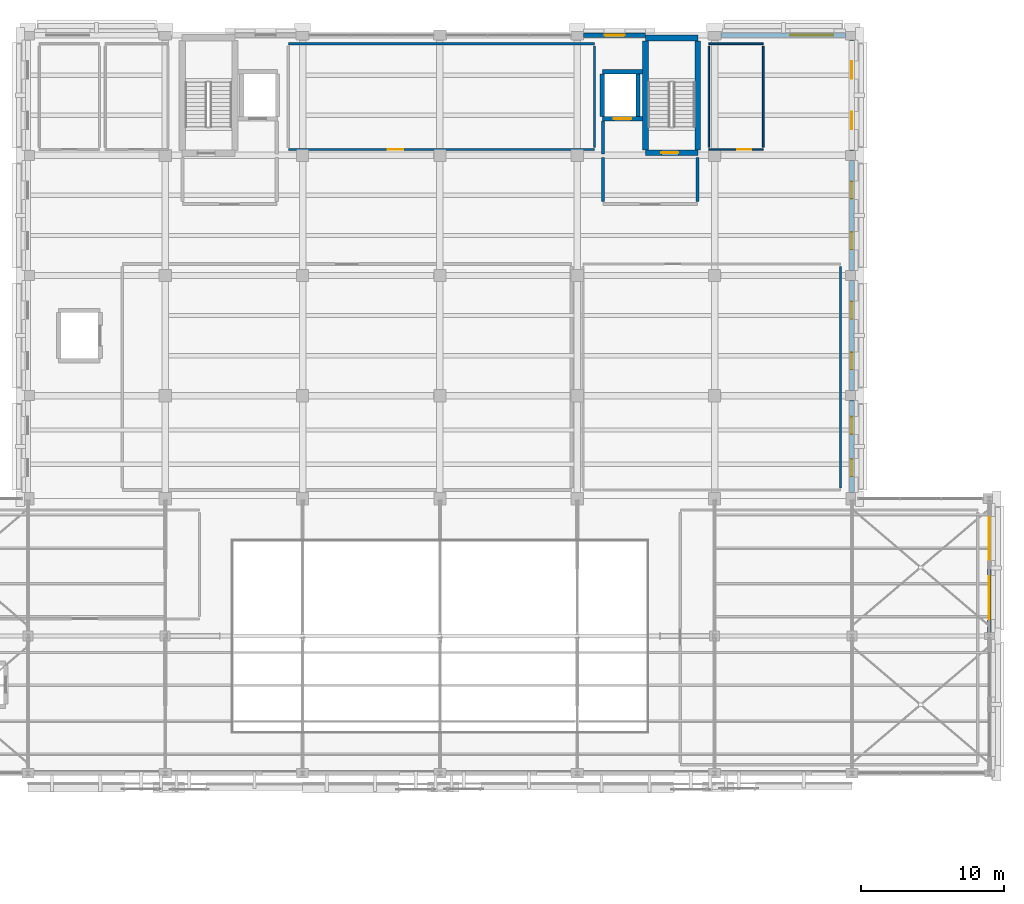
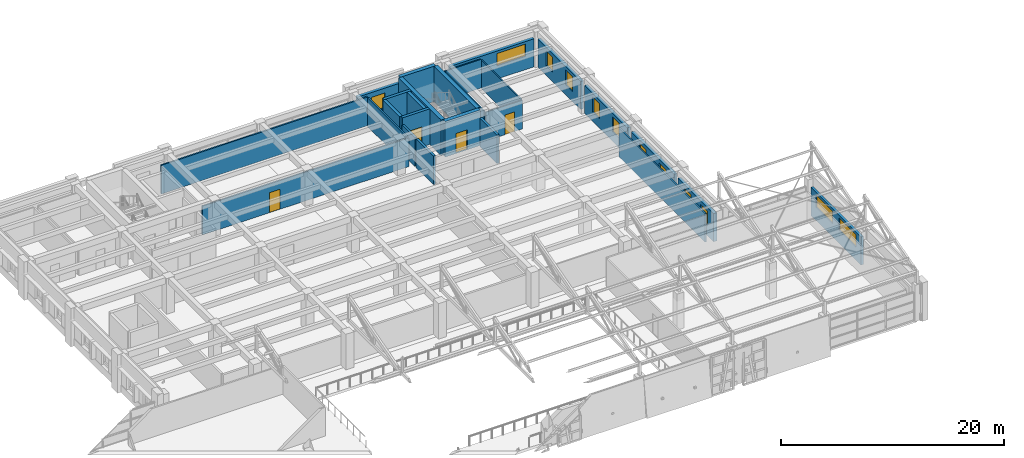
# One storey, part 50 of 58: 26 walls, 12 windows, 4 doors, 16 openings.
"""IFC4 building model written with IfcOpenShell, lengths in metres."""

from ifc_helpers import new_model, si_unit, direction, frame, frame_2d, origin, place, context, subcontext, project, spatial, rectangle, extrude, material, layer, layer_set, type_object, element, fill, save


model = new_model("IFC4")

# Units and contexts
model_context = context("Model", 3, precision=1e-05, world=origin(), true_north=direction((0.0, 1.0)))
body_context = subcontext(model_context, "Body", "Model", "MODEL_VIEW")
ifc_project = project(units=[si_unit("LENGTHUNIT", "METRE"), si_unit("AREAUNIT", "SQUARE_METRE"), si_unit("VOLUMEUNIT", "CUBIC_METRE"), si_unit("PLANEANGLEUNIT", "RADIAN"), si_unit("MASSUNIT", "GRAM", prefix="KILO")], contexts=[model_context])

# Site, building, storey
site_placement = place(None, origin())
site = spatial("IfcSite", under=ifc_project, at=site_placement, CompositionType="ELEMENT")
building_placement = place(site_placement, origin())
building = spatial("IfcBuilding", under=site, at=building_placement, Name="Bempovik Park Faculty of Sciences", CompositionType="ELEMENT")
storey_placement = place(building_placement, frame((0.0, 0.0, 18.300048828125)))
storey = spatial("IfcBuildingStorey", under=building, at=storey_placement, Name="L04", CompositionType="ELEMENT", Elevation=18.300048828125)

# Wall, opening, door
ifc_material_1 = material(Name="Gypsum acoustic stud assembly")
ifc_layer_1 = layer(ifc_material_1, 0.1201171875)
ifc_layer_set_1 = layer_set([ifc_layer_1], Name="Gypsum acoustic stud assembly")
wall_type_1 = type_object("IfcWallType", Name="W-17 Wall 120mm", PredefinedType="PARTITIONING", material=ifc_layer_set_1)
wall_1_placement = place(storey_placement, frame((107.60009765625, 111.39990234375, 0.0), z_axis=(0.0, 0.0, 1.0), x_axis=(1.0, 0.0, 0.0)))
wall_1 = element("IfcWall", 1, at=wall_1_placement, inside=storey, type_object=wall_type_1, Name="L04 L04 Accessible WC Partition South", PredefinedType="PARTITIONING", context=body_context, shape_type="SweptSolid", body=[
    extrude(rectangle(XDim=3.7998046875, YDim=0.1201171875, at=frame_2d((1.89990234375, 0.0))), origin(), (0.0, 0.0, 1.0), 3.14990234375),
])
opening_1_placement = place(wall_1_placement, frame((1.969970703125, 0.0, 0.0)))
opening_1 = element("IfcOpeningElement", 2, at=opening_1_placement, cuts=wall_1, Name="Opening D-50", PredefinedType="OPENING", context=body_context, shape_type="SweptSolid", body=[
    extrude(rectangle(XDim=1.0, YDim=2.14990234375, at=frame_2d((0.5, 1.074951171875))), frame((0.0, 0.070068359375, 0.0), z_axis=(0.0, -1.0, 0.0), x_axis=(1.0, 0.0, 0.0)), (0.0, 0.0, 1.0), 0.14013671875),
])
ifc_material_2 = material(Name="West African hardwood finish", Category="wood")
door_type_1 = type_object("IfcDoorType", Name="D-50 Door 1000x2150", OperationType="NOTDEFINED", PredefinedType="DOOR", material=ifc_material_2)
door_1_placement = place(opening_1_placement, origin())
door_1 = element("IfcDoor", 3, at=door_1_placement, inside=storey, type_object=door_type_1, Name="L04 L04 Accessible WC Door", OperationType="SINGLE_SWING_RIGHT", OverallHeight=2.14990234375, OverallWidth=1.0, PredefinedType="DOOR", context=body_context, shape_type="SweptSolid", body=[
    extrude(rectangle(XDim=1.0, YDim=2.14990234375, at=frame_2d((0.5, 1.074951171875))), frame((0.0, 0.02490234375, 0.0), z_axis=(0.0, -1.0, 0.0), x_axis=(1.0, 0.0, 0.0)), (0.0, 0.0, 1.0), 0.050048828125),
])
fill(opening_1, door_1)

# Walls
wall_2_placement = place(storey_placement, frame((107.60009765625, 118.800048828125, 0.0), z_axis=(0.0, 0.0, 1.0), x_axis=(1.0, 0.0, 0.0)))
element("IfcWall", 4, at=wall_2_placement, inside=storey, type_object=wall_type_1, Name="L04 L04 Accessible WC Partition North", PredefinedType="PARTITIONING", context=body_context, shape_type="SweptSolid", body=[
    extrude(rectangle(XDim=3.7998046875, YDim=0.1201171875, at=frame_2d((1.89990234375, 0.0))), origin(), (0.0, 0.0, 1.0), 3.14990234375),
])
for number, where, z_axis, x_axis, name in (
    (5, (107.60009765625, 111.56005859375, 0.0), (0.0, 0.0, 1.0), (0.0, 1.0, 0.0), "L04 L04 Accessible WC Partition West"),
    (6, (111.39990234375, 111.56005859375, 0.0), (0.0, 0.0, 1.0), (0.0, 1.0, 0.0), "L04 L04 Accessible WC Partition East"),
):
    element("IfcWall", number, at=place(storey_placement, frame(where, z_axis=z_axis, x_axis=x_axis)), inside=storey, type_object=wall_type_1, Name=name, PredefinedType="PARTITIONING", context=body_context, shape_type="SweptSolid", body=[
        extrude(rectangle(XDim=7.079833984375, YDim=0.1201171875, at=frame_2d((3.5400390625, 0.0))), origin(), (0.0, 0.0, 1.0), 3.14990234375),
    ])
ifc_layer_2 = layer(ifc_material_1, 0.139892578125)
ifc_layer_set_2 = layer_set([ifc_layer_2], Name="Gypsum acoustic stud assembly")
wall_type_2 = type_object("IfcWallType", Name="W-21 Wall 140mm", PredefinedType="PARTITIONING", material=ifc_layer_set_2)
wall_3_placement = place(storey_placement, frame((116.800048828125, 87.760009765625, 0.0), z_axis=(0.0, 0.0, 1.0), x_axis=(0.0, 1.0, 0.0)))
element("IfcWall", 7, at=wall_3_placement, inside=storey, type_object=wall_type_2, Name="L04 Chemical Sciences Write-Up and Offices Partition East", PredefinedType="PARTITIONING", context=body_context, shape_type="SweptSolid", body=[
    extrude(rectangle(XDim=15.47998046875, YDim=0.139892578125, at=frame_2d((7.739990234375, 0.0))), origin(), (0.0, 0.0, 1.0), 3.14990234375),
])

# Wall, opening, door
ifc_material_3 = material(Name="Concrete C40/50", Category="concrete")
ifc_layer_3 = layer(ifc_material_3, 0.300048828125)
ifc_layer_set_3 = layer_set([ifc_layer_3], Name="Concrete C40/50")
wall_type_3 = type_object("IfcWallType", Name="W-31 Wall 300mm", PredefinedType="SHEAR", material=ifc_layer_set_3)
wall_4_placement = place(storey_placement, frame((100.14990234375, 113.550048828125, 0.0), z_axis=(0.0, 0.0, 1.0), x_axis=(1.0, 0.0, 0.0)))
wall_4 = element("IfcWall", 8, at=wall_4_placement, inside=storey, type_object=wall_type_3, Name="Lift LF-2 L04 Shaft Wall South", PredefinedType="SHEAR", context=body_context, shape_type="SweptSolid", body=[
    extrude(rectangle(XDim=2.8251953125, YDim=0.300048828125, at=frame_2d((1.41259765625, 0.0))), origin(), (0.0, 0.0, 1.0), 3.89990234375),
])
opening_2_placement = place(wall_4_placement, frame((0.8125, 0.0, 0.0)))
opening_2 = element("IfcOpeningElement", 9, at=opening_2_placement, cuts=wall_4, Name="Opening LD-01", PredefinedType="OPENING", context=body_context, shape_type="SweptSolid", body=[
    extrude(rectangle(XDim=1.199951171875, YDim=2.199951171875, at=frame_2d((0.60009765625, 1.10009765625))), frame((0.0, 0.16015625, 0.0), z_axis=(0.0, -1.0, 0.0), x_axis=(1.0, 0.0, 0.0)), (0.0, 0.0, 1.0), 0.320068359375),
])
ifc_material_4 = material(Name="Painted steel S355", Category="steel")
door_type_2 = type_object("IfcDoorType", Name="LD-01 Door 1200x2200", OperationType="NOTDEFINED", PredefinedType="DOOR", material=ifc_material_4)
door_2_placement = place(opening_2_placement, origin())
door_2 = element("IfcDoor", 10, at=door_2_placement, inside=storey, type_object=door_type_2, Name="Lift LF-2 L04 Sliding Landing Door", OperationType="SLIDING_TO_LEFT", OverallHeight=2.199951171875, OverallWidth=1.199951171875, PredefinedType="DOOR", context=body_context, shape_type="SweptSolid", body=[
    extrude(rectangle(XDim=1.199951171875, YDim=2.199951171875, at=frame_2d((0.60009765625, 1.10009765625))), frame((0.0, 0.02490234375, 0.0), z_axis=(0.0, -1.0, 0.0), x_axis=(1.0, 0.0, 0.0)), (0.0, 0.0, 1.0), 0.050048828125),
])
fill(opening_2, door_2)

# Walls
wall_5_placement = place(storey_placement, frame((100.14990234375, 116.85009765625, 0.0), z_axis=(0.0, 0.0, 1.0), x_axis=(1.0, 0.0, 0.0)))
element("IfcWall", 11, at=wall_5_placement, inside=storey, type_object=wall_type_3, Name="Lift LF-2 L04 Shaft Wall North", PredefinedType="SHEAR", context=body_context, shape_type="SweptSolid", body=[
    extrude(rectangle(XDim=2.8251953125, YDim=0.300048828125, at=frame_2d((1.41259765625, 0.0))), origin(), (0.0, 0.0, 1.0), 3.89990234375),
])
for number, where, z_axis, x_axis, name in (
    (12, (100.14990234375, 113.699951171875, 0.0), (0.0, 0.0, 1.0), (0.0, 1.0, 0.0), "Lift LF-2 L04 Shaft Wall West"),
    (13, (102.64990234375, 113.699951171875, 0.0), (0.0, 0.0, 1.0), (0.0, 1.0, 0.0), "Lift LF-2 L04 Shaft Wall East"),
):
    element("IfcWall", number, at=place(storey_placement, frame(where, z_axis=z_axis, x_axis=x_axis)), inside=storey, type_object=wall_type_3, Name=name, PredefinedType="SHEAR", context=body_context, shape_type="SweptSolid", body=[
        extrude(rectangle(XDim=3.0, YDim=0.300048828125, at=frame_2d((1.5, 0.0))), origin(), (0.0, 0.0, 1.0), 3.89990234375),
    ])
ifc_material_5 = material(Name="Concrete C35/45", Category="concrete")
ifc_layer_4 = layer(ifc_material_5, 0.219970703125)
ifc_layer_set_4 = layer_set([ifc_layer_4], Name="Concrete C35/45")
wall_type_4 = type_object("IfcWallType", Name="W-38 Wall 220mm", PredefinedType="PARTITIONING", material=ifc_layer_set_4)
wall_6_placement = place(storey_placement, frame((100.199951171875, 111.080078125, 0.0), z_axis=(0.0, 0.0, 1.0), x_axis=(0.0, 1.0, 0.0)))
element("IfcWall", 14, at=wall_6_placement, inside=storey, type_object=wall_type_4, Name="L04 Firefighting Lobby East Lift Link Wall", PredefinedType="PARTITIONING", context=body_context, shape_type="SweptSolid", body=[
    extrude(rectangle(XDim=2.31982421875, YDim=0.219970703125, at=frame_2d((1.159912109375, 0.0))), origin(), (0.0, 0.0, 1.0), 3.14990234375),
])
for number, where, z_axis, x_axis, name in (
    (15, (100.199951171875, 107.760009765625, 0.0), (0.0, 0.0, 1.0), (0.0, 1.0, 0.0), "L04 Firefighting Lift Lobby East Partition West"),
    (16, (106.800048828125, 107.760009765625, 0.0), (0.0, 0.0, 1.0), (0.0, 1.0, 0.0), "L04 Firefighting Lift Lobby East Partition East"),
):
    element("IfcWall", number, at=place(storey_placement, frame(where, z_axis=z_axis, x_axis=x_axis)), inside=storey, type_object=wall_type_4, Name=name, PredefinedType="PARTITIONING", context=body_context, shape_type="SweptSolid", body=[
        extrude(rectangle(XDim=3.080078125, YDim=0.219970703125, at=frame_2d((1.5400390625, 0.0))), origin(), (0.0, 0.0, 1.0), 3.14990234375),
    ])

# Wall, opening, door
ifc_layer_5 = layer(ifc_material_1, 0.14990234375)
ifc_layer_set_5 = layer_set([ifc_layer_5], Name="Gypsum acoustic stud assembly")
wall_type_5 = type_object("IfcWallType", Name="W-42 Wall 150mm", PredefinedType="PARTITIONING", material=ifc_layer_set_5)
wall_7_placement = place(storey_placement, frame((78.199951171875, 111.39990234375, 0.0), z_axis=(0.0, 0.0, 1.0), x_axis=(1.0, 0.0, 0.0)))
wall_7 = element("IfcWall", 17, at=wall_7_placement, inside=storey, type_object=wall_type_5, Name="L04 Spectroscopy Calibration Room Partition South", PredefinedType="PARTITIONING", context=body_context, shape_type="SweptSolid", body=[
    extrude(rectangle(XDim=21.400146484375, YDim=0.14990234375, at=frame_2d((10.7001953125, 0.0))), origin(), (0.0, 0.0, 1.0), 3.14990234375),
])
opening_3_placement = place(wall_7_placement, frame((6.93994140625, 0.0, 0.0)))
opening_3 = element("IfcOpeningElement", 18, at=opening_3_placement, cuts=wall_7, Name="Opening D-65", PredefinedType="OPENING", context=body_context, shape_type="SweptSolid", body=[
    extrude(rectangle(XDim=1.10009765625, YDim=2.199951171875, at=frame_2d((0.550048828125, 1.10009765625))), frame((0.0, 0.0849609375, 0.0), z_axis=(0.0, -1.0, 0.0), x_axis=(1.0, 0.0, 0.0)), (0.0, 0.0, 1.0), 0.169921875),
])
door_type_3 = type_object("IfcDoorType", Name="D-65 Door 1100x2200", OperationType="NOTDEFINED", PredefinedType="DOOR", material=ifc_material_2)
door_3_placement = place(opening_3_placement, origin())
door_3 = element("IfcDoor", 19, at=door_3_placement, inside=storey, type_object=door_type_3, Name="L04 Spectroscopy Calibration Room Door", OperationType="SINGLE_SWING_LEFT", OverallHeight=2.199951171875, OverallWidth=1.10009765625, PredefinedType="DOOR", context=body_context, shape_type="SweptSolid", body=[
    extrude(rectangle(XDim=1.10009765625, YDim=2.199951171875, at=frame_2d((0.550048828125, 1.10009765625))), frame((0.0, 0.02490234375, 0.0), z_axis=(0.0, -1.0, 0.0), x_axis=(1.0, 0.0, 0.0)), (0.0, 0.0, 1.0), 0.050048828125),
])
fill(opening_3, door_3)

# Walls
wall_8_placement = place(storey_placement, frame((78.199951171875, 118.800048828125, 0.0), z_axis=(0.0, 0.0, 1.0), x_axis=(1.0, 0.0, 0.0)))
element("IfcWall", 20, at=wall_8_placement, inside=storey, type_object=wall_type_5, Name="L04 Spectroscopy Calibration Room Partition North", PredefinedType="PARTITIONING", context=body_context, shape_type="SweptSolid", body=[
    extrude(rectangle(XDim=21.400146484375, YDim=0.14990234375, at=frame_2d((10.7001953125, 0.0))), origin(), (0.0, 0.0, 1.0), 3.14990234375),
])
wall_9_placement = place(storey_placement, frame((99.60009765625, 111.56005859375, 0.0), z_axis=(0.0, 0.0, 1.0), x_axis=(0.0, 1.0, 0.0)))
element("IfcWall", 21, at=wall_9_placement, inside=storey, type_object=wall_type_5, Name="L04 Spectroscopy Calibration Room Partition East", PredefinedType="PARTITIONING", context=body_context, shape_type="SweptSolid", body=[
    extrude(rectangle(XDim=7.079833984375, YDim=0.14990234375, at=frame_2d((3.5400390625, 0.0))), origin(), (0.0, 0.0, 1.0), 3.14990234375),
])

# Wall, opening, door
ifc_layer_6 = layer(ifc_material_3, 0.39990234375)
ifc_layer_set_6 = layer_set([ifc_layer_6], Name="Concrete C40/50")
wall_type_6 = type_object("IfcWallType", Name="W-47 Wall 400mm", PredefinedType="SHEAR", material=ifc_layer_set_6)
wall_10_placement = place(storey_placement, frame((103.175048828125, 111.175048828125, 0.0), z_axis=(0.0, 0.0, 1.0), x_axis=(1.0, 0.0, 0.0)))
wall_10 = element("IfcWall", 22, at=wall_10_placement, inside=storey, type_object=wall_type_6, Name="ST-2 L04 Core Shear Wall South", PredefinedType="SHEAR", context=body_context, shape_type="SweptSolid", body=[
    extrude(rectangle(XDim=3.64990234375, YDim=0.39990234375, at=frame_2d((1.824951171875, 0.0))), origin(), (0.0, 0.0, 1.0), 3.89990234375),
])
opening_4_placement = place(wall_10_placement, frame((1.10009765625, 0.0, 0.0)))
opening_4 = element("IfcOpeningElement", 23, at=opening_4_placement, cuts=wall_10, Name="Opening D-49", PredefinedType="OPENING", context=body_context, shape_type="SweptSolid", body=[
    extrude(rectangle(XDim=1.199951171875, YDim=2.199951171875, at=frame_2d((0.60009765625, 1.10009765625))), frame((0.0, 0.2099609375, 0.0), z_axis=(0.0, -1.0, 0.0), x_axis=(1.0, 0.0, 0.0)), (0.0, 0.0, 1.0), 0.419921875),
])
door_type_4 = type_object("IfcDoorType", Name="D-49 Door 1200x2200", OperationType="NOTDEFINED", PredefinedType="DOOR", material=ifc_material_4)
door_4_placement = place(opening_4_placement, origin())
door_4 = element("IfcDoor", 24, at=door_4_placement, inside=storey, type_object=door_type_4, Name="ST-2 L04 Protected Stair Smoke Door", OperationType="SINGLE_SWING_RIGHT", OverallHeight=2.199951171875, OverallWidth=1.199951171875, PredefinedType="DOOR", context=body_context, shape_type="SweptSolid", body=[
    extrude(rectangle(XDim=1.199951171875, YDim=2.199951171875, at=frame_2d((0.60009765625, 1.10009765625))), frame((0.0, 0.02490234375, 0.0), z_axis=(0.0, -1.0, 0.0), x_axis=(1.0, 0.0, 0.0)), (0.0, 0.0, 1.0), 0.050048828125),
])
fill(opening_4, door_4)

# Walls
for number, where, z_axis, x_axis, name in (
    (25, (103.175048828125, 111.375, 0.0), (0.0, 0.0, 1.0), (0.0, 1.0, 0.0), "ST-2 L04 Core Shear Wall West"),
    (26, (106.824951171875, 111.375, 0.0), (0.0, 0.0, 1.0), (0.0, 1.0, 0.0), "ST-2 L04 Core Shear Wall East"),
):
    element("IfcWall", number, at=place(storey_placement, frame(where, z_axis=z_axis, x_axis=x_axis)), inside=storey, type_object=wall_type_6, Name=name, PredefinedType="SHEAR", context=body_context, shape_type="SweptSolid", body=[
        extrude(rectangle(XDim=7.625, YDim=0.39990234375, at=frame_2d((3.8125, 0.0))), origin(), (0.0, 0.0, 1.0), 3.89990234375),
    ])
wall_11_placement = place(storey_placement, frame((103.175048828125, 119.199951171875, 0.0), z_axis=(0.0, 0.0, 1.0), x_axis=(1.0, 0.0, 0.0)))
element("IfcWall", 27, at=wall_11_placement, inside=storey, type_object=wall_type_6, Name="ST-2 L04 Core Shear Wall North", PredefinedType="SHEAR", context=body_context, shape_type="SweptSolid", body=[
    extrude(rectangle(XDim=3.64990234375, YDim=0.39990234375, at=frame_2d((1.824951171875, 0.0))), origin(), (0.0, 0.0, 1.0), 3.89990234375),
])

# Wall, openings, windows
ifc_material_6 = material(Name="Precast concrete C40/50", Category="concrete")
ifc_layer_7 = layer(ifc_material_6, 0.260009765625)
ifc_layer_set_7 = layer_set([ifc_layer_7], Name="Precast concrete C40/50")
wall_type_7 = type_object("IfcWallType", Name="W-54 Wall 260mm", PredefinedType="SOLIDWALL", material=ifc_layer_set_7)
wall_12_placement = place(storey_placement, frame((127.199951171875, 77.652099609375, 0.0), z_axis=(0.0, 0.0, 1.0), x_axis=(0.0, 1.0, 0.0)))
wall_12 = element("IfcWall", 28, at=wall_12_placement, inside=storey, type_object=wall_type_7, Name="L04 Classical Precast Facade Wall EW-L04-9900", PredefinedType="SOLIDWALL", context=body_context, shape_type="SweptSolid", body=[
    extrude(rectangle(XDim=8.995849609375, YDim=0.260009765625, at=frame_2d((4.498046875, 0.0))), origin(), (0.0, 0.0, 1.0), 3.079833984375),
])
opening_5_placement = place(wall_12_placement, frame((0.928955078125, 0.0, 1.449951171875)))
opening_5 = element("IfcOpeningElement", 29, at=opening_5_placement, cuts=wall_12, Name="Opening WN-53", PredefinedType="OPENING", context=body_context, shape_type="SweptSolid", body=[
    extrude(rectangle(XDim=3.0, YDim=1.35009765625, at=frame_2d((1.5, 0.675048828125))), frame((0.0, 0.14013671875, 0.0), z_axis=(0.0, -1.0, 0.0), x_axis=(1.0, 0.0, 0.0)), (0.0, 0.0, 1.0), 0.280029296875),
])
opening_6_placement = place(wall_12_placement, frame((5.067138671875, 0.0, 1.449951171875)))
opening_6 = element("IfcOpeningElement", 30, at=opening_6_placement, cuts=wall_12, Name="Opening WN-53", PredefinedType="OPENING", context=body_context, shape_type="SweptSolid", body=[
    extrude(rectangle(XDim=3.0, YDim=1.35009765625, at=frame_2d((1.5, 0.675048828125))), frame((0.0, 0.14013671875, 0.0), z_axis=(0.0, -1.0, 0.0), x_axis=(1.0, 0.0, 0.0)), (0.0, 0.0, 1.0), 0.280029296875),
])
ifc_material_7 = material(Name="Tempered laminated low-E glass", Category="glass")
window_type_1 = type_object("IfcWindowType", Name="WN-53 Window 3000x1350", PartitioningType="SINGLE_PANEL", PredefinedType="WINDOW", material=ifc_material_7)
window_1_placement = place(opening_5_placement, origin())
window_1 = element("IfcWindow", 31, at=window_1_placement, inside=storey, type_object=window_type_1, Name="L04 Window EW-L04-9900-1", OverallHeight=1.35009765625, OverallWidth=3.0, PartitioningType="SINGLE_PANEL", PredefinedType="WINDOW", context=body_context, shape_type="SweptSolid", body=[
    extrude(rectangle(XDim=3.0, YDim=1.35009765625, at=frame_2d((1.5, 0.675048828125))), frame((0.0, 0.030029296875, 0.0), z_axis=(0.0, -1.0, 0.0), x_axis=(1.0, 0.0, 0.0)), (0.0, 0.0, 1.0), 0.06005859375),
])
fill(opening_5, window_1)
window_2_placement = place(opening_6_placement, origin())
window_2 = element("IfcWindow", 32, at=window_2_placement, inside=storey, type_object=window_type_1, Name="L04 Window EW-L04-9900-2", OverallHeight=1.35009765625, OverallWidth=3.0, PartitioningType="SINGLE_PANEL", PredefinedType="WINDOW", context=body_context, shape_type="SweptSolid", body=[
    extrude(rectangle(XDim=3.0, YDim=1.35009765625, at=frame_2d((1.5, 0.675048828125))), frame((0.0, 0.030029296875, 0.0), z_axis=(0.0, -1.0, 0.0), x_axis=(1.0, 0.0, 0.0)), (0.0, 0.0, 1.0), 0.06005859375),
])
fill(opening_6, window_2)

# Wall, opening, window
ifc_layer_8 = layer(ifc_material_6, 0.320068359375)
ifc_layer_set_8 = layer_set([ifc_layer_8], Name="Precast concrete C40/50")
wall_type_8 = type_object("IfcWallType", Name="W-56 Wall 320mm", PredefinedType="SOLIDWALL", material=ifc_layer_set_8)
wall_13_placement = place(storey_placement, frame((98.85205078125, 119.39990234375, 0.0), z_axis=(0.0, 0.0, 1.0), x_axis=(1.0, 0.0, 0.0)))
wall_13 = element("IfcWall", 33, at=wall_13_placement, inside=storey, type_object=wall_type_8, Name="L04 Classical Precast Facade Wall EW-L04-9803", PredefinedType="SOLIDWALL", context=body_context, shape_type="SweptSolid", body=[
    extrude(rectangle(XDim=4.322021484375, YDim=0.320068359375, at=frame_2d((2.1611328125, 0.0))), origin(), (0.0, 0.0, 1.0), 3.079833984375),
])
opening_7_placement = place(wall_13_placement, frame((1.4609375, 0.0, 0.89990234375)))
opening_7 = element("IfcOpeningElement", 34, at=opening_7_placement, cuts=wall_13, Name="Opening WN-84", PredefinedType="OPENING", context=body_context, shape_type="SweptSolid", body=[
    extrude(rectangle(XDim=1.39990234375, YDim=1.64990234375, at=frame_2d((0.699951171875, 0.824951171875))), frame((0.0, 0.169921875, 0.0), z_axis=(0.0, -1.0, 0.0), x_axis=(1.0, 0.0, 0.0)), (0.0, 0.0, 1.0), 0.340087890625),
])
window_type_2 = type_object("IfcWindowType", Name="WN-84 Window 1400x1650", PartitioningType="SINGLE_PANEL", PredefinedType="WINDOW", material=ifc_material_7)
window_3_placement = place(opening_7_placement, origin())
window_3 = element("IfcWindow", 35, at=window_3_placement, inside=storey, type_object=window_type_2, Name="L04 Stairwell Classical Lancet Window EW-L04-9803", OverallHeight=1.64990234375, OverallWidth=1.39990234375, PartitioningType="SINGLE_PANEL", PredefinedType="WINDOW", context=body_context, shape_type="SweptSolid", body=[
    extrude(rectangle(XDim=1.39990234375, YDim=1.64990234375, at=frame_2d((0.699951171875, 0.824951171875))), frame((0.0, 0.030029296875, 0.0), z_axis=(0.0, -1.0, 0.0), x_axis=(1.0, 0.0, 0.0)), (0.0, 0.0, 1.0), 0.06005859375),
])
fill(opening_7, window_3)

wall_14_placement = place(storey_placement, frame((108.451904296875, 119.39990234375, 0.0), z_axis=(0.0, 0.0, 1.0), x_axis=(1.0, 0.0, 0.0)))
wall_14 = element("IfcWall", 36, at=wall_14_placement, inside=storey, type_object=wall_type_8, Name="L04 Classical Precast Facade Wall EW-L04-9810", PredefinedType="SOLIDWALL", context=body_context, shape_type="SweptSolid", body=[
    extrude(rectangle(XDim=8.696044921875, YDim=0.320068359375, at=frame_2d((4.34814453125, 0.0))), origin(), (0.0, 0.0, 1.0), 3.079833984375),
])
opening_8_placement = place(wall_14_placement, frame((4.84814453125, 0.0, 1.449951171875)))
opening_8 = element("IfcOpeningElement", 37, at=opening_8_placement, cuts=wall_14, Name="Opening WN-53", PredefinedType="OPENING", context=body_context, shape_type="SweptSolid", body=[
    extrude(rectangle(XDim=3.0, YDim=1.35009765625, at=frame_2d((1.5, 0.675048828125))), frame((0.0, 0.169921875, 0.0), z_axis=(0.0, -1.0, 0.0), x_axis=(1.0, 0.0, 0.0)), (0.0, 0.0, 1.0), 0.340087890625),
])
window_4_placement = place(opening_8_placement, origin())
window_4 = element("IfcWindow", 38, at=window_4_placement, inside=storey, type_object=window_type_1, Name="L04 Window EW-L04-9810-2", OverallHeight=1.35009765625, OverallWidth=3.0, PartitioningType="SINGLE_PANEL", PredefinedType="WINDOW", context=body_context, shape_type="SweptSolid", body=[
    extrude(rectangle(XDim=3.0, YDim=1.35009765625, at=frame_2d((1.5, 0.675048828125))), frame((0.0, 0.030029296875, 0.0), z_axis=(0.0, -1.0, 0.0), x_axis=(1.0, 0.0, 0.0)), (0.0, 0.0, 1.0), 0.06005859375),
])
fill(opening_8, window_4)

# Wall, openings, windows
wall_15_placement = place(storey_placement, frame((117.60009765625, 87.427001953125, 0.0), z_axis=(0.0, 0.0, 1.0), x_axis=(0.0, 1.0, 0.0)))
wall_15 = element("IfcWall", 39, at=wall_15_placement, inside=storey, type_object=wall_type_8, Name="L04 Classical Precast Facade Wall EW-L04-9820", PredefinedType="SOLIDWALL", context=body_context, shape_type="SweptSolid", body=[
    extrude(rectangle(XDim=6.4208984375, YDim=0.320068359375, at=frame_2d((3.21044921875, 0.0))), origin(), (0.0, 0.0, 1.0), 3.079833984375),
])
opening_9_placement = place(wall_15_placement, frame((1.1337890625, 0.0, 1.050048828125)))
opening_9 = element("IfcOpeningElement", 40, at=opening_9_placement, cuts=wall_15, Name="Opening WN-62", PredefinedType="OPENING", context=body_context, shape_type="SweptSolid", body=[
    extrude(rectangle(XDim=1.199951171875, YDim=1.64990234375, at=frame_2d((0.60009765625, 0.824951171875))), frame((0.0, 0.169921875, 0.0), z_axis=(0.0, -1.0, 0.0), x_axis=(1.0, 0.0, 0.0)), (0.0, 0.0, 1.0), 0.340087890625),
])
opening_10_placement = place(wall_15_placement, frame((4.08740234375, 0.0, 1.050048828125)))
opening_10 = element("IfcOpeningElement", 41, at=opening_10_placement, cuts=wall_15, Name="Opening WN-62", PredefinedType="OPENING", context=body_context, shape_type="SweptSolid", body=[
    extrude(rectangle(XDim=1.199951171875, YDim=1.64990234375, at=frame_2d((0.60009765625, 0.824951171875))), frame((0.0, 0.169921875, 0.0), z_axis=(0.0, -1.0, 0.0), x_axis=(1.0, 0.0, 0.0)), (0.0, 0.0, 1.0), 0.340087890625),
])
window_type_3 = type_object("IfcWindowType", Name="WN-62 Window 1200x1650", PartitioningType="SINGLE_PANEL", PredefinedType="WINDOW", material=ifc_material_7)
window_5_placement = place(opening_9_placement, origin())
window_5 = element("IfcWindow", 42, at=window_5_placement, inside=storey, type_object=window_type_3, Name="L04 Window EW-L04-9820-1", OverallHeight=1.64990234375, OverallWidth=1.199951171875, PartitioningType="SINGLE_PANEL", PredefinedType="WINDOW", context=body_context, shape_type="SweptSolid", body=[
    extrude(rectangle(XDim=1.199951171875, YDim=1.64990234375, at=frame_2d((0.60009765625, 0.824951171875))), frame((0.0, 0.030029296875, 0.0), z_axis=(0.0, -1.0, 0.0), x_axis=(1.0, 0.0, 0.0)), (0.0, 0.0, 1.0), 0.06005859375),
])
fill(opening_9, window_5)
window_6_placement = place(opening_10_placement, origin())
window_6 = element("IfcWindow", 43, at=window_6_placement, inside=storey, type_object=window_type_3, Name="L04 Window EW-L04-9820-2", OverallHeight=1.64990234375, OverallWidth=1.199951171875, PartitioningType="SINGLE_PANEL", PredefinedType="WINDOW", context=body_context, shape_type="SweptSolid", body=[
    extrude(rectangle(XDim=1.199951171875, YDim=1.64990234375, at=frame_2d((0.60009765625, 0.824951171875))), frame((0.0, 0.030029296875, 0.0), z_axis=(0.0, -1.0, 0.0), x_axis=(1.0, 0.0, 0.0)), (0.0, 0.0, 1.0), 0.06005859375),
])
fill(opening_10, window_6)

wall_16_placement = place(storey_placement, frame((117.60009765625, 94.552001953125, 0.0), z_axis=(0.0, 0.0, 1.0), x_axis=(0.0, 1.0, 0.0)))
wall_16 = element("IfcWall", 44, at=wall_16_placement, inside=storey, type_object=wall_type_8, Name="L04 Classical Precast Facade Wall EW-L04-9833", PredefinedType="SOLIDWALL", context=body_context, shape_type="SweptSolid", body=[
    extrude(rectangle(XDim=7.696044921875, YDim=0.320068359375, at=frame_2d((3.84814453125, 0.0))), origin(), (0.0, 0.0, 1.0), 3.079833984375),
])
opening_11_placement = place(wall_16_placement, frame((1.477783203125, 0.0, 1.050048828125)))
opening_11 = element("IfcOpeningElement", 45, at=opening_11_placement, cuts=wall_16, Name="Opening WN-62", PredefinedType="OPENING", context=body_context, shape_type="SweptSolid", body=[
    extrude(rectangle(XDim=1.199951171875, YDim=1.64990234375, at=frame_2d((0.60009765625, 0.824951171875))), frame((0.0, 0.169921875, 0.0), z_axis=(0.0, -1.0, 0.0), x_axis=(1.0, 0.0, 0.0)), (0.0, 0.0, 1.0), 0.340087890625),
])
opening_12_placement = place(wall_16_placement, frame((5.01806640625, 0.0, 1.050048828125)))
opening_12 = element("IfcOpeningElement", 46, at=opening_12_placement, cuts=wall_16, Name="Opening WN-62", PredefinedType="OPENING", context=body_context, shape_type="SweptSolid", body=[
    extrude(rectangle(XDim=1.199951171875, YDim=1.64990234375, at=frame_2d((0.60009765625, 0.824951171875))), frame((0.0, 0.169921875, 0.0), z_axis=(0.0, -1.0, 0.0), x_axis=(1.0, 0.0, 0.0)), (0.0, 0.0, 1.0), 0.340087890625),
])
window_7_placement = place(opening_11_placement, origin())
window_7 = element("IfcWindow", 47, at=window_7_placement, inside=storey, type_object=window_type_3, Name="L04 Window EW-L04-9833-1", OverallHeight=1.64990234375, OverallWidth=1.199951171875, PartitioningType="SINGLE_PANEL", PredefinedType="WINDOW", context=body_context, shape_type="SweptSolid", body=[
    extrude(rectangle(XDim=1.199951171875, YDim=1.64990234375, at=frame_2d((0.60009765625, 0.824951171875))), frame((0.0, 0.030029296875, 0.0), z_axis=(0.0, -1.0, 0.0), x_axis=(1.0, 0.0, 0.0)), (0.0, 0.0, 1.0), 0.06005859375),
])
fill(opening_11, window_7)
window_8_placement = place(opening_12_placement, origin())
window_8 = element("IfcWindow", 48, at=window_8_placement, inside=storey, type_object=window_type_3, Name="L04 Window EW-L04-9833-2", OverallHeight=1.64990234375, OverallWidth=1.199951171875, PartitioningType="SINGLE_PANEL", PredefinedType="WINDOW", context=body_context, shape_type="SweptSolid", body=[
    extrude(rectangle(XDim=1.199951171875, YDim=1.64990234375, at=frame_2d((0.60009765625, 0.824951171875))), frame((0.0, 0.030029296875, 0.0), z_axis=(0.0, -1.0, 0.0), x_axis=(1.0, 0.0, 0.0)), (0.0, 0.0, 1.0), 0.06005859375),
])
fill(opening_12, window_8)

wall_17_placement = place(storey_placement, frame((117.60009765625, 102.951904296875, 0.0), z_axis=(0.0, 0.0, 1.0), x_axis=(0.0, 1.0, 0.0)))
wall_17 = element("IfcWall", 49, at=wall_17_placement, inside=storey, type_object=wall_type_8, Name="L04 Classical Precast Facade Wall EW-L04-9845", PredefinedType="SOLIDWALL", context=body_context, shape_type="SweptSolid", body=[
    extrude(rectangle(XDim=7.696044921875, YDim=0.320068359375, at=frame_2d((3.84814453125, 0.0))), origin(), (0.0, 0.0, 1.0), 3.079833984375),
])
opening_13_placement = place(wall_17_placement, frame((1.477783203125, 0.0, 1.050048828125)))
opening_13 = element("IfcOpeningElement", 50, at=opening_13_placement, cuts=wall_17, Name="Opening WN-62", PredefinedType="OPENING", context=body_context, shape_type="SweptSolid", body=[
    extrude(rectangle(XDim=1.199951171875, YDim=1.64990234375, at=frame_2d((0.60009765625, 0.824951171875))), frame((0.0, 0.169921875, 0.0), z_axis=(0.0, -1.0, 0.0), x_axis=(1.0, 0.0, 0.0)), (0.0, 0.0, 1.0), 0.340087890625),
])
opening_14_placement = place(wall_17_placement, frame((5.01806640625, 0.0, 1.050048828125)))
opening_14 = element("IfcOpeningElement", 51, at=opening_14_placement, cuts=wall_17, Name="Opening WN-62", PredefinedType="OPENING", context=body_context, shape_type="SweptSolid", body=[
    extrude(rectangle(XDim=1.199951171875, YDim=1.64990234375, at=frame_2d((0.60009765625, 0.824951171875))), frame((0.0, 0.169921875, 0.0), z_axis=(0.0, -1.0, 0.0), x_axis=(1.0, 0.0, 0.0)), (0.0, 0.0, 1.0), 0.340087890625),
])
window_9_placement = place(opening_13_placement, origin())
window_9 = element("IfcWindow", 52, at=window_9_placement, inside=storey, type_object=window_type_3, Name="L04 Window EW-L04-9845-1", OverallHeight=1.64990234375, OverallWidth=1.199951171875, PartitioningType="SINGLE_PANEL", PredefinedType="WINDOW", context=body_context, shape_type="SweptSolid", body=[
    extrude(rectangle(XDim=1.199951171875, YDim=1.64990234375, at=frame_2d((0.60009765625, 0.824951171875))), frame((0.0, 0.030029296875, 0.0), z_axis=(0.0, -1.0, 0.0), x_axis=(1.0, 0.0, 0.0)), (0.0, 0.0, 1.0), 0.06005859375),
])
fill(opening_13, window_9)
window_10_placement = place(opening_14_placement, origin())
window_10 = element("IfcWindow", 53, at=window_10_placement, inside=storey, type_object=window_type_3, Name="L04 Window EW-L04-9845-2", OverallHeight=1.64990234375, OverallWidth=1.199951171875, PartitioningType="SINGLE_PANEL", PredefinedType="WINDOW", context=body_context, shape_type="SweptSolid", body=[
    extrude(rectangle(XDim=1.199951171875, YDim=1.64990234375, at=frame_2d((0.60009765625, 0.824951171875))), frame((0.0, 0.030029296875, 0.0), z_axis=(0.0, -1.0, 0.0), x_axis=(1.0, 0.0, 0.0)), (0.0, 0.0, 1.0), 0.06005859375),
])
fill(opening_14, window_10)

wall_18_placement = place(storey_placement, frame((117.60009765625, 111.35205078125, 0.0), z_axis=(0.0, 0.0, 1.0), x_axis=(0.0, 1.0, 0.0)))
wall_18 = element("IfcWall", 54, at=wall_18_placement, inside=storey, type_object=wall_type_8, Name="L04 Classical Precast Facade Wall EW-L04-9857", PredefinedType="SOLIDWALL", context=body_context, shape_type="SweptSolid", body=[
    extrude(rectangle(XDim=7.696044921875, YDim=0.320068359375, at=frame_2d((3.84814453125, 0.0))), origin(), (0.0, 0.0, 1.0), 3.079833984375),
])
opening_15_placement = place(wall_18_placement, frame((1.477783203125, 0.0, 1.050048828125)))
opening_15 = element("IfcOpeningElement", 55, at=opening_15_placement, cuts=wall_18, Name="Opening WN-62", PredefinedType="OPENING", context=body_context, shape_type="SweptSolid", body=[
    extrude(rectangle(XDim=1.199951171875, YDim=1.64990234375, at=frame_2d((0.60009765625, 0.824951171875))), frame((0.0, 0.169921875, 0.0), z_axis=(0.0, -1.0, 0.0), x_axis=(1.0, 0.0, 0.0)), (0.0, 0.0, 1.0), 0.340087890625),
])
opening_16_placement = place(wall_18_placement, frame((5.01806640625, 0.0, 1.050048828125)))
opening_16 = element("IfcOpeningElement", 56, at=opening_16_placement, cuts=wall_18, Name="Opening WN-62", PredefinedType="OPENING", context=body_context, shape_type="SweptSolid", body=[
    extrude(rectangle(XDim=1.199951171875, YDim=1.64990234375, at=frame_2d((0.60009765625, 0.824951171875))), frame((0.0, 0.169921875, 0.0), z_axis=(0.0, -1.0, 0.0), x_axis=(1.0, 0.0, 0.0)), (0.0, 0.0, 1.0), 0.340087890625),
])
window_11_placement = place(opening_15_placement, origin())
window_11 = element("IfcWindow", 57, at=window_11_placement, inside=storey, type_object=window_type_3, Name="L04 Window EW-L04-9857-1", OverallHeight=1.64990234375, OverallWidth=1.199951171875, PartitioningType="SINGLE_PANEL", PredefinedType="WINDOW", context=body_context, shape_type="SweptSolid", body=[
    extrude(rectangle(XDim=1.199951171875, YDim=1.64990234375, at=frame_2d((0.60009765625, 0.824951171875))), frame((0.0, 0.030029296875, 0.0), z_axis=(0.0, -1.0, 0.0), x_axis=(1.0, 0.0, 0.0)), (0.0, 0.0, 1.0), 0.06005859375),
])
fill(opening_15, window_11)
window_12_placement = place(opening_16_placement, origin())
window_12 = element("IfcWindow", 58, at=window_12_placement, inside=storey, type_object=window_type_3, Name="L04 Window EW-L04-9857-2", OverallHeight=1.64990234375, OverallWidth=1.199951171875, PartitioningType="SINGLE_PANEL", PredefinedType="WINDOW", context=body_context, shape_type="SweptSolid", body=[
    extrude(rectangle(XDim=1.199951171875, YDim=1.64990234375, at=frame_2d((0.60009765625, 0.824951171875))), frame((0.0, 0.030029296875, 0.0), z_axis=(0.0, -1.0, 0.0), x_axis=(1.0, 0.0, 0.0)), (0.0, 0.0, 1.0), 0.06005859375),
])
fill(opening_16, window_12)

save(model, "model.ifc")
